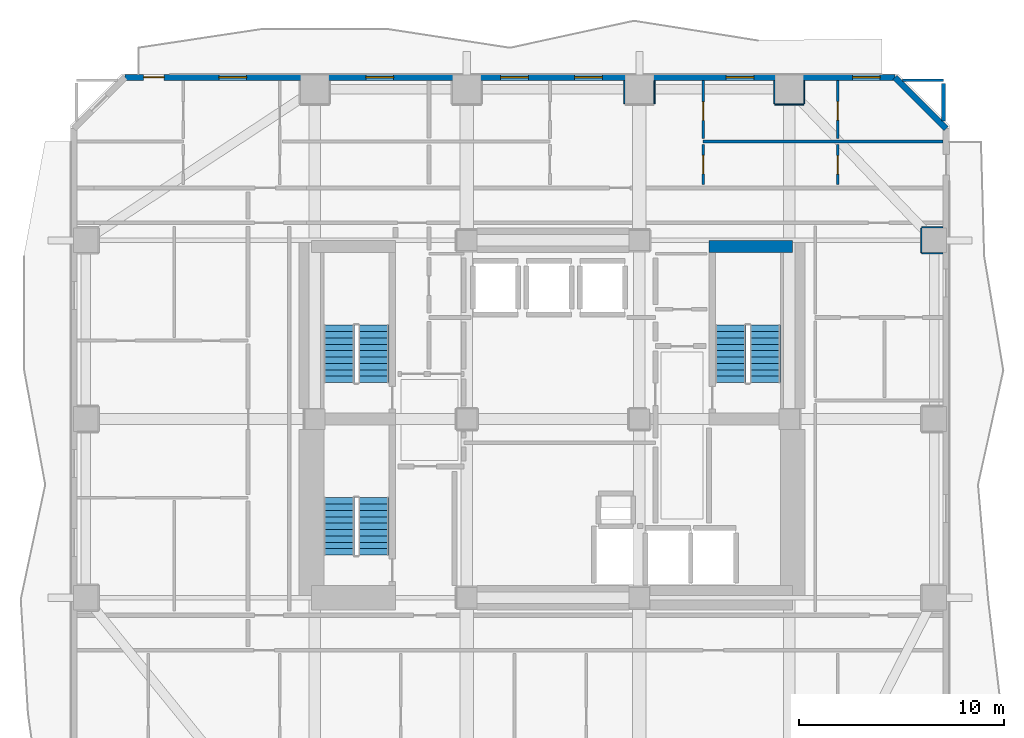
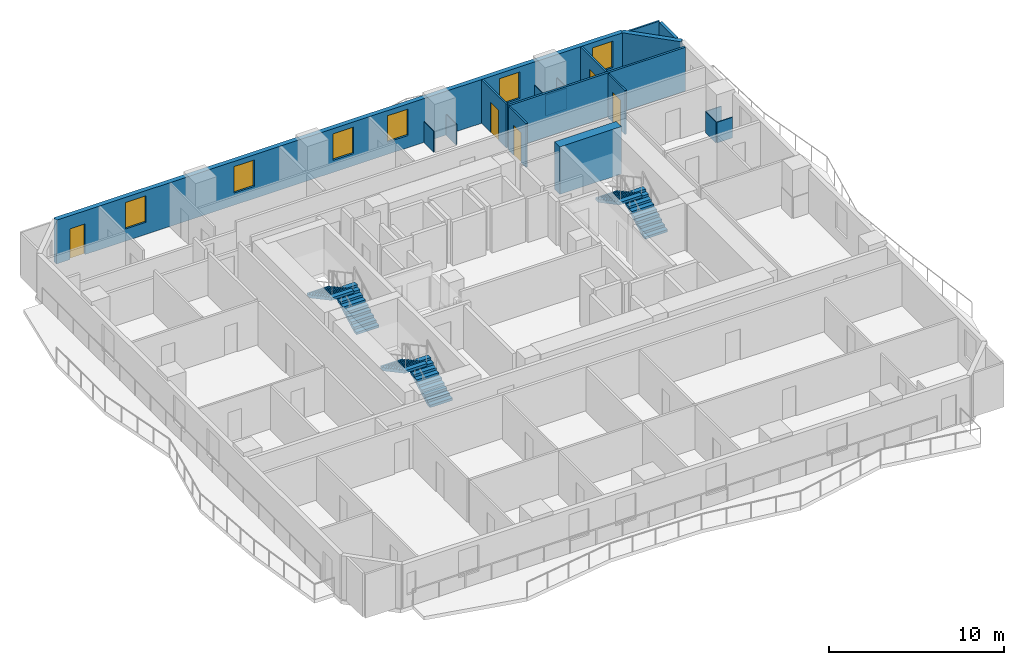
# One storey, part 7 of 11: 18 walls, 6 stair flights, 6 windows, 5 doors, 11 openings, 3 elements without a shape of their own.
"""IFC4 building model written with IfcOpenShell, lengths in metres."""

from ifc_helpers import new_model, si_unit, direction, frame, frame_2d, origin, place, context, subcontext, project, spatial, polyline, rectangle, outline, extrude, material, layer, layer_set, type_object, element, fill, aggregate, save


model = new_model("IFC4")

# Units and contexts
model_context = context("Model", 3, precision=1e-05, world=origin(), true_north=direction((0.0, 1.0)))
body_context = subcontext(model_context, "Body", "Model", "MODEL_VIEW")
ifc_project = project(units=[si_unit("LENGTHUNIT", "METRE"), si_unit("AREAUNIT", "SQUARE_METRE"), si_unit("VOLUMEUNIT", "CUBIC_METRE"), si_unit("PLANEANGLEUNIT", "RADIAN"), si_unit("MASSUNIT", "GRAM", prefix="KILO")], contexts=[model_context])

# Site, building, storey
site_placement = place(None, origin())
site = spatial("IfcSite", under=ifc_project, at=site_placement, CompositionType="ELEMENT")
building_placement = place(site_placement, origin())
building = spatial("IfcBuilding", under=site, at=building_placement, Name="Solanera Arch Residences", CompositionType="ELEMENT")
storey_placement = place(building_placement, frame((0.0, 0.0, 31.9599609375)))
storey = spatial("IfcBuildingStorey", under=building, at=storey_placement, Name="L08", CompositionType="ELEMENT", Elevation=31.9599609375)

# Walls
ifc_material_1 = material(Name="Fire-Rated Gypsum Stud Partition", Category="gypsum")
ifc_layer_1 = layer(ifc_material_1, 0.06005859375)
ifc_layer_set_1 = layer_set([ifc_layer_1], Name="Fire-Rated Gypsum Stud Partition")
wall_type_1 = type_object("IfcWallType", Name="Column Acoustic Furring Wall 60", PredefinedType="PARTITIONING", material=ifc_layer_set_1)
for number, where, z_axis, x_axis, name in (
    (1, (28.468017578125, 46.050048828125, 0.0), (0.0, 0.0, 1.0), (0.0, 1.0, 0.0), "L08 Column Furring 14W"),
    (2, (29.931884765625, 46.050048828125, 0.0), (0.0, 0.0, 1.0), (0.0, 1.0, 0.0), "L08 Column Furring 14E"),
):
    element("IfcWall", number, at=place(storey_placement, frame(where, z_axis=z_axis, x_axis=x_axis)), inside=storey, type_object=wall_type_1, Name=name, PredefinedType="PARTITIONING", context=body_context, shape_type="SweptSolid", body=[
        extrude(rectangle(XDim=1.119873046875, YDim=0.06005859375, at=frame_2d((0.56005859375, 0.0))), origin(), (0.0, 0.0, 1.0), 1.449951171875),
    ])
wall_1_placement = place(storey_placement, frame((35.800048828125, 46.01806640625, 0.0), z_axis=(0.0, 0.0, 1.0), x_axis=(1.0, 0.0, 0.0)))
element("IfcWall", 3, at=wall_1_placement, inside=storey, type_object=wall_type_1, Name="L08 Column Furring 16S", PredefinedType="PARTITIONING", context=body_context, shape_type="SweptSolid", body=[
    extrude(rectangle(XDim=1.39990234375, YDim=0.06005859375, at=frame_2d((0.699951171875, 0.0))), origin(), (0.0, 0.0, 1.0), 1.449951171875),
])
for number, where, z_axis, x_axis, name in (
    (4, (35.76806640625, 46.050048828125, 0.0), (0.0, 0.0, 1.0), (0.0, 1.0, 0.0), "L08 Column Furring 16W"),
    (5, (37.23193359375, 46.050048828125, 0.0), (0.0, 0.0, 1.0), (0.0, 1.0, 0.0), "L08 Column Furring 16E"),
):
    element("IfcWall", number, at=place(storey_placement, frame(where, z_axis=z_axis, x_axis=x_axis)), inside=storey, type_object=wall_type_1, Name=name, PredefinedType="PARTITIONING", context=body_context, shape_type="SweptSolid", body=[
        extrude(rectangle(XDim=1.119873046875, YDim=0.06005859375, at=frame_2d((0.56005859375, 0.0))), origin(), (0.0, 0.0, 1.0), 1.449951171875),
    ])
for number, where, z_axis, x_axis, name in (
    (6, (42.949951171875, 38.76806640625, 0.0), (0.0, 0.0, 1.0), (1.0, 0.0, 0.0), "L08 Column Furring 22S"),
    (7, (42.949951171875, 40.031982421875, 0.0), (0.0, 0.0, 1.0), (1.0, 0.0, 0.0), "L08 Column Furring 22N"),
):
    element("IfcWall", number, at=place(storey_placement, frame(where, z_axis=z_axis, x_axis=x_axis)), inside=storey, type_object=wall_type_1, Name=name, PredefinedType="PARTITIONING", context=body_context, shape_type="SweptSolid", body=[
        extrude(rectangle(XDim=1.02001953125, YDim=0.06005859375, at=frame_2d((0.510009765625, 0.0))), origin(), (0.0, 0.0, 1.0), 1.449951171875),
    ])
wall_2_placement = place(storey_placement, frame((42.91796875, 38.800048828125, 0.0), z_axis=(0.0, 0.0, 1.0), x_axis=(0.0, 1.0, 0.0)))
element("IfcWall", 8, at=wall_2_placement, inside=storey, type_object=wall_type_1, Name="L08 Column Furring 22W", PredefinedType="PARTITIONING", context=body_context, shape_type="SweptSolid", body=[
    extrude(rectangle(XDim=1.199951171875, YDim=0.06005859375, at=frame_2d((0.60009765625, 0.0))), origin(), (0.0, 0.0, 1.0), 1.449951171875),
])
ifc_material_2 = material(Name="Concrete C40/50 (f'c = 45 MPa)", Category="concrete")
ifc_layer_2 = layer(ifc_material_2, 0.60009765625)
ifc_layer_set_2 = layer_set([ifc_layer_2], Name="Concrete C40/50 (f'c = 45 MPa)")
wall_type_2 = type_object("IfcWallType", Name="Core Shear Wall CW-600", PredefinedType="SHEAR", material=ifc_layer_set_2)
wall_3_placement = place(storey_placement, frame((32.580078125, 39.10009765625, 0.0), z_axis=(0.0, 0.0, 1.0), x_axis=(1.0, 0.0, 0.0)))
element("IfcWall", 9, at=wall_3_placement, inside=storey, type_object=wall_type_2, Name="L08 North-East Core Shear Wall", PredefinedType="SHEAR", context=body_context, shape_type="SweptSolid", body=[
    extrude(rectangle(XDim=4.079833984375, YDim=0.60009765625, at=frame_2d((2.0400390625, 0.0))), origin(), (0.0, 0.0, 1.0), 3.320068359375),
])
ifc_material_3 = material(Name="Autoclaved Aerated Concrete Blockwork", Category="masonry")
ifc_layer_3 = layer(ifc_material_3, 0.179931640625)
ifc_layer_set_3 = layer_set([ifc_layer_3], Name="Autoclaved Aerated Concrete Blockwork")
wall_type_3 = type_object("IfcWallType", Name="Corridor Fire Partition 180", PredefinedType="PARTITIONING", material=ifc_layer_set_3)
wall_4_placement = place(storey_placement, frame((44.0, 45.198974609375, 0.0), z_axis=(0.0, 0.0, 1.0), x_axis=(0.0, 1.0, 0.0)))
element("IfcWall", 10, at=wall_4_placement, inside=storey, type_object=wall_type_3, Name="L08 Interior Partition V10 2", PredefinedType="PARTITIONING", context=body_context, shape_type="SweptSolid", body=[
    extrude(rectangle(XDim=1.843017578125, YDim=0.179931640625, at=frame_2d((0.92138671875, 0.0))), origin(), (0.0, 0.0, 1.0), 3.06005859375),
])

# Wall, openings, door, windows
ifc_material_4 = material(Name="Precast Concrete C35/45", Category="concrete")
ifc_layer_4 = layer(ifc_material_4, 0.300048828125)
ifc_layer_set_4 = layer_set([ifc_layer_4], Name="Precast Concrete C35/45")
wall_type_4 = type_object("IfcWallType", Name="Exterior Wall Precast Masonry-Frame 300", PredefinedType="STANDARD", material=ifc_layer_set_4)
wall_5_placement = place(storey_placement, frame((4.1650390625, 47.3349609375, 0.0), z_axis=(0.0, 0.0, 1.0), x_axis=(1.0, 0.0, 0.0)))
wall_5 = element("IfcWall", 11, at=wall_5_placement, inside=storey, type_object=wall_type_4, Name="L08 Tower Exterior Precast Masonry-Frame Wall N", PredefinedType="STANDARD", context=body_context, shape_type="SweptSolid", body=[
    extrude(rectangle(XDim=37.469970703125, YDim=0.300048828125, at=frame_2d((18.73486328125, 0.0))), origin(), (0.0, 0.0, 1.0), 3.06005859375),
])
opening_1_placement = place(wall_5_placement, frame((0.90087890625, 0.0, 0.0)))
opening_1 = element("IfcOpeningElement", 12, at=opening_1_placement, cuts=wall_5, Name="Opening DB-01", PredefinedType="OPENING", context=body_context, shape_type="SweptSolid", body=[
    extrude(rectangle(XDim=1.0, YDim=2.14990234375, at=frame_2d((0.5, 1.074951171875))), frame((0.0, 0.159912109375, 0.0), z_axis=(0.0, -1.0, 0.0), x_axis=(1.0, 0.0, 0.0)), (0.0, 0.0, 1.0), 0.32),
])
opening_2_placement = place(wall_5_placement, frame((4.568115234375, 0.0, 0.85009765625)))
opening_2 = element("IfcOpeningElement", 13, at=opening_2_placement, cuts=wall_5, Name="Opening W-10", PredefinedType="OPENING", context=body_context, shape_type="SweptSolid", body=[
    extrude(rectangle(XDim=1.35009765625, YDim=1.85009765625, at=frame_2d((0.675048828125, 0.925048828125))), frame((0.0, 0.159912109375, 0.0), z_axis=(0.0, -1.0, 0.0), x_axis=(1.0, 0.0, 0.0)), (0.0, 0.0, 1.0), 0.32),
])
opening_3_placement = place(wall_5_placement, frame((11.719970703125, 0.0, 0.85009765625)))
opening_3 = element("IfcOpeningElement", 14, at=opening_3_placement, cuts=wall_5, Name="Opening W-10", PredefinedType="OPENING", context=body_context, shape_type="SweptSolid", body=[
    extrude(rectangle(XDim=1.35009765625, YDim=1.85009765625, at=frame_2d((0.675048828125, 0.925048828125))), frame((0.0, 0.159912109375, 0.0), z_axis=(0.0, -1.0, 0.0), x_axis=(1.0, 0.0, 0.0)), (0.0, 0.0, 1.0), 0.32),
])
opening_4_placement = place(wall_5_placement, frame((21.881103515625, 0.0, 0.85009765625)))
opening_4 = element("IfcOpeningElement", 15, at=opening_4_placement, cuts=wall_5, Name="Opening W-10", PredefinedType="OPENING", context=body_context, shape_type="SweptSolid", body=[
    extrude(rectangle(XDim=1.35009765625, YDim=1.85009765625, at=frame_2d((0.675048828125, 0.925048828125))), frame((0.0, 0.159912109375, 0.0), z_axis=(0.0, -1.0, 0.0), x_axis=(1.0, 0.0, 0.0)), (0.0, 0.0, 1.0), 0.32),
])
opening_5_placement = place(wall_5_placement, frame((18.281005859375, 0.0, 0.85009765625)))
opening_5 = element("IfcOpeningElement", 16, at=opening_5_placement, cuts=wall_5, Name="Opening W-10", PredefinedType="OPENING", context=body_context, shape_type="SweptSolid", body=[
    extrude(rectangle(XDim=1.35009765625, YDim=1.85009765625, at=frame_2d((0.675048828125, 0.925048828125))), frame((0.0, 0.159912109375, 0.0), z_axis=(0.0, -1.0, 0.0), x_axis=(1.0, 0.0, 0.0)), (0.0, 0.0, 1.0), 0.32),
])
opening_6_placement = place(wall_5_placement, frame((29.262939453125, 0.0, 0.85009765625)))
opening_6 = element("IfcOpeningElement", 17, at=opening_6_placement, cuts=wall_5, Name="Opening W-10", PredefinedType="OPENING", context=body_context, shape_type="SweptSolid", body=[
    extrude(rectangle(XDim=1.35009765625, YDim=1.85009765625, at=frame_2d((0.675048828125, 0.925048828125))), frame((0.0, 0.159912109375, 0.0), z_axis=(0.0, -1.0, 0.0), x_axis=(1.0, 0.0, 0.0)), (0.0, 0.0, 1.0), 0.32),
])
opening_7_placement = place(wall_5_placement, frame((35.409912109375, 0.0, 0.85009765625)))
opening_7 = element("IfcOpeningElement", 18, at=opening_7_placement, cuts=wall_5, Name="Opening W-10", PredefinedType="OPENING", context=body_context, shape_type="SweptSolid", body=[
    extrude(rectangle(XDim=1.35009765625, YDim=1.85009765625, at=frame_2d((0.675048828125, 0.925048828125))), frame((0.0, 0.159912109375, 0.0), z_axis=(0.0, -1.0, 0.0), x_axis=(1.0, 0.0, 0.0)), (0.0, 0.0, 1.0), 0.32),
])
ifc_material_5 = material(Name="Anodised Aluminium Alloy 6063-T6", Category="aluminium")
door_type_1 = type_object("IfcDoorType", Name="Glazed Balcony Swing Door DB-01", OperationType="NOTDEFINED", PredefinedType="DOOR", material=ifc_material_5)
door_1_placement = place(opening_1_placement, origin())
door_1 = element("IfcDoor", 19, at=door_1_placement, inside=storey, type_object=door_type_1, Name="DR-L08-OUT-02", OperationType="SINGLE_SWING_LEFT", OverallHeight=2.14990234375, OverallWidth=1.0, PredefinedType="DOOR", context=body_context, shape_type="SweptSolid", body=[
    extrude(rectangle(XDim=1.0, YDim=2.14990234375, at=frame_2d((0.5, 1.074951171875))), frame((0.0, 0.02490234375, 0.0), z_axis=(0.0, -1.0, 0.0), x_axis=(1.0, 0.0, 0.0)), (0.0, 0.0, 1.0), 0.050048828125),
])
fill(opening_1, door_1)
ifc_material_6 = material(Name="Double Glazed Low-E Laminated Glass", Category="glass")
window_type = type_object("IfcWindowType", Name="Punched Window W-10", PartitioningType="DOUBLE_PANEL_VERTICAL", PredefinedType="WINDOW", material=ifc_material_6)
window_1_placement = place(opening_2_placement, origin())
window_1 = element("IfcWindow", 20, at=window_1_placement, inside=storey, type_object=window_type, Name="L08 0803-LIV Punched Window", OverallHeight=1.85009765625, OverallWidth=1.35009765625, PartitioningType="SINGLE_PANEL", PredefinedType="WINDOW", context=body_context, shape_type="SweptSolid", body=[
    extrude(rectangle(XDim=1.35009765625, YDim=1.85009765625, at=frame_2d((0.675048828125, 0.925048828125))), frame((0.0, 0.030029296875, 0.0), z_axis=(0.0, -1.0, 0.0), x_axis=(1.0, 0.0, 0.0)), (0.0, 0.0, 1.0), 0.06005859375),
])
fill(opening_2, window_1)
window_2_placement = place(opening_3_placement, origin())
window_2 = element("IfcWindow", 21, at=window_2_placement, inside=storey, type_object=window_type, Name="L08 0803-BR2 Punched Window", OverallHeight=1.85009765625, OverallWidth=1.35009765625, PartitioningType="SINGLE_PANEL", PredefinedType="WINDOW", context=body_context, shape_type="SweptSolid", body=[
    extrude(rectangle(XDim=1.35009765625, YDim=1.85009765625, at=frame_2d((0.675048828125, 0.925048828125))), frame((0.0, 0.030029296875, 0.0), z_axis=(0.0, -1.0, 0.0), x_axis=(1.0, 0.0, 0.0)), (0.0, 0.0, 1.0), 0.06005859375),
])
fill(opening_3, window_2)
window_3_placement = place(opening_4_placement, origin())
window_3 = element("IfcWindow", 22, at=window_3_placement, inside=storey, type_object=window_type, Name="L08 0804-LIV Punched Window", OverallHeight=1.85009765625, OverallWidth=1.35009765625, PartitioningType="SINGLE_PANEL", PredefinedType="WINDOW", context=body_context, shape_type="SweptSolid", body=[
    extrude(rectangle(XDim=1.35009765625, YDim=1.85009765625, at=frame_2d((0.675048828125, 0.925048828125))), frame((0.0, 0.030029296875, 0.0), z_axis=(0.0, -1.0, 0.0), x_axis=(1.0, 0.0, 0.0)), (0.0, 0.0, 1.0), 0.06005859375),
])
fill(opening_4, window_3)
window_4_placement = place(opening_5_placement, origin())
window_4 = element("IfcWindow", 23, at=window_4_placement, inside=storey, type_object=window_type, Name="L08 0804-BR1 Punched Window", OverallHeight=1.85009765625, OverallWidth=1.35009765625, PartitioningType="SINGLE_PANEL", PredefinedType="WINDOW", context=body_context, shape_type="SweptSolid", body=[
    extrude(rectangle(XDim=1.35009765625, YDim=1.85009765625, at=frame_2d((0.675048828125, 0.925048828125))), frame((0.0, 0.030029296875, 0.0), z_axis=(0.0, -1.0, 0.0), x_axis=(1.0, 0.0, 0.0)), (0.0, 0.0, 1.0), 0.06005859375),
])
fill(opening_5, window_4)
window_5_placement = place(opening_6_placement, origin())
window_5 = element("IfcWindow", 24, at=window_5_placement, inside=storey, type_object=window_type, Name="L08 0804-BR2 Punched Window", OverallHeight=1.85009765625, OverallWidth=1.35009765625, PartitioningType="SINGLE_PANEL", PredefinedType="WINDOW", context=body_context, shape_type="SweptSolid", body=[
    extrude(rectangle(XDim=1.35009765625, YDim=1.85009765625, at=frame_2d((0.675048828125, 0.925048828125))), frame((0.0, 0.030029296875, 0.0), z_axis=(0.0, -1.0, 0.0), x_axis=(1.0, 0.0, 0.0)), (0.0, 0.0, 1.0), 0.06005859375),
])
fill(opening_6, window_5)
window_6_placement = place(opening_7_placement, origin())
window_6 = element("IfcWindow", 25, at=window_6_placement, inside=storey, type_object=window_type, Name="L08 0804-BR3 Punched Window", OverallHeight=1.85009765625, OverallWidth=1.35009765625, PartitioningType="SINGLE_PANEL", PredefinedType="WINDOW", context=body_context, shape_type="SweptSolid", body=[
    extrude(rectangle(XDim=1.35009765625, YDim=1.85009765625, at=frame_2d((0.675048828125, 0.925048828125))), frame((0.0, 0.030029296875, 0.0), z_axis=(0.0, -1.0, 0.0), x_axis=(1.0, 0.0, 0.0)), (0.0, 0.0, 1.0), 0.06005859375),
])
fill(opening_7, window_6)

# Walls
wall_6_placement = place(storey_placement, frame((41.635009765625, 47.3349609375, 0.0), z_axis=(0.0, 0.0, 1.0), x_axis=(0.707106781187, -0.707106781187, 0.0)))
element("IfcWall", 26, at=wall_6_placement, inside=storey, type_object=wall_type_4, Name="L08 Tower Exterior Precast Masonry-Frame Wall CH3", PredefinedType="STANDARD", context=body_context, shape_type="SweptSolid", body=[
    extrude(rectangle(XDim=3.53564453125, YDim=0.300048828125, at=frame_2d((1.767822265625, 0.0))), origin(), (0.0, 0.0, 1.0), 3.06005859375),
])
ifc_material_7 = material(Name="Fire-Rated Gypsum Stud Partition", Category="gypsum")
ifc_layer_5 = layer(ifc_material_7, 0.1201171875)
ifc_layer_set_5 = layer_set([ifc_layer_5], Name="Fire-Rated Gypsum Stud Partition")
wall_type_5 = type_object("IfcWallType", Name="Unit Drywall Partition 120", PredefinedType="PARTITIONING", material=ifc_layer_set_5)
wall_7_placement = place(storey_placement, frame((41.9990234375, 47.199951171875, 0.0), z_axis=(0.0, 0.0, 1.0), x_axis=(1.0, 0.0, 0.0)))
element("IfcWall", 27, at=wall_7_placement, inside=storey, type_object=wall_type_5, Name="L08 Interior Partition H24 2", PredefinedType="PARTITIONING", context=body_context, shape_type="SweptSolid", body=[
    extrude(rectangle(XDim=2.0009765625, YDim=0.1201171875, at=frame_2d((1.00048828125, 0.0))), origin(), (0.0, 0.0, 1.0), 3.06005859375),
])

# Wall, opening, door
wall_8_placement = place(storey_placement, frame((32.305908203125, 42.10791015625, 0.0), z_axis=(0.0, 0.0, 1.0), x_axis=(0.0, 1.0, 0.0)))
wall_8 = element("IfcWall", 28, at=wall_8_placement, inside=storey, type_object=wall_type_5, Name="L08 Interior Partition V25 1", PredefinedType="PARTITIONING", context=body_context, shape_type="SweptSolid", body=[
    extrude(rectangle(XDim=1.962158203125, YDim=0.1201171875, at=frame_2d((0.98095703125, 0.0))), origin(), (0.0, 0.0, 1.0), 3.06005859375),
])
opening_8_placement = place(wall_8_placement, frame((0.533935546875, 0.0, 0.0)))
opening_8 = element("IfcOpeningElement", 29, at=opening_8_placement, cuts=wall_8, Name="Opening DI-02", PredefinedType="OPENING", context=body_context, shape_type="SweptSolid", body=[
    extrude(rectangle(XDim=0.89990234375, YDim=2.10009765625, at=frame_2d((0.449951171875, 1.050048828125))), frame((0.0, 0.070068359375, 0.0), z_axis=(0.0, -1.0, 0.0), x_axis=(1.0, 0.0, 0.0)), (0.0, 0.0, 1.0), 0.1401),
])
ifc_material_8 = material(Name="Fire-Rated Architectural Hardwood", Category="wood")
door_type_2 = type_object("IfcDoorType", Name="Suite Room Swing Door DI-02", OperationType="NOTDEFINED", PredefinedType="DOOR", material=ifc_material_8)
door_2_placement = place(opening_8_placement, origin())
door_2 = element("IfcDoor", 30, at=door_2_placement, inside=storey, type_object=door_type_2, Name="DR-L08-IN-036", OperationType="SINGLE_SWING_LEFT", OverallHeight=2.10009765625, OverallWidth=0.89990234375, PredefinedType="DOOR", context=body_context, shape_type="SweptSolid", body=[
    extrude(rectangle(XDim=0.89990234375, YDim=2.10009765625, at=frame_2d((0.449951171875, 1.050048828125))), frame((0.0, 0.02490234375, 0.0), z_axis=(0.0, -1.0, 0.0), x_axis=(1.0, 0.0, 0.0)), (0.0, 0.0, 1.0), 0.050048828125),
])
fill(opening_8, door_2)

wall_9_placement = place(storey_placement, frame((32.305908203125, 44.345947265625, 0.0), z_axis=(0.0, 0.0, 1.0), x_axis=(0.0, 1.0, 0.0)))
wall_9 = element("IfcWall", 31, at=wall_9_placement, inside=storey, type_object=wall_type_5, Name="L08 Interior Partition V25 2", PredefinedType="PARTITIONING", context=body_context, shape_type="SweptSolid", body=[
    extrude(rectangle(XDim=2.8271484375, YDim=0.1201171875, at=frame_2d((1.41357421875, 0.0))), origin(), (0.0, 0.0, 1.0), 3.06005859375),
])
opening_9_placement = place(wall_9_placement, frame((0.89501953125, 0.0, 0.0)))
opening_9 = element("IfcOpeningElement", 32, at=opening_9_placement, cuts=wall_9, Name="Opening DI-03", PredefinedType="OPENING", context=body_context, shape_type="SweptSolid", body=[
    extrude(rectangle(XDim=0.89990234375, YDim=2.10009765625, at=frame_2d((0.449951171875, 1.050048828125))), frame((0.0, 0.070068359375, 0.0), z_axis=(0.0, -1.0, 0.0), x_axis=(1.0, 0.0, 0.0)), (0.0, 0.0, 1.0), 0.1401),
])
ifc_material_9 = material(Name="Fire-Rated Architectural Hardwood", Category="wood")
door_type_3 = type_object("IfcDoorType", Name="Bedroom Swing Door DI-03", OperationType="NOTDEFINED", PredefinedType="DOOR", material=ifc_material_9)
door_3_placement = place(opening_9_placement, origin())
door_3 = element("IfcDoor", 33, at=door_3_placement, inside=storey, type_object=door_type_3, Name="DR-L08-IN-038", OperationType="SINGLE_SWING_LEFT", OverallHeight=2.10009765625, OverallWidth=0.89990234375, PredefinedType="DOOR", context=body_context, shape_type="SweptSolid", body=[
    extrude(rectangle(XDim=0.89990234375, YDim=2.10009765625, at=frame_2d((0.449951171875, 1.050048828125))), frame((0.0, 0.02490234375, 0.0), z_axis=(0.0, -1.0, 0.0), x_axis=(1.0, 0.0, 0.0)), (0.0, 0.0, 1.0), 0.050048828125),
])
fill(opening_9, door_3)

wall_10_placement = place(storey_placement, frame((38.85498046875, 42.10791015625, 0.0), z_axis=(0.0, 0.0, 1.0), x_axis=(0.0, 1.0, 0.0)))
wall_10 = element("IfcWall", 34, at=wall_10_placement, inside=storey, type_object=wall_type_5, Name="L08 Interior Partition V28 1", PredefinedType="PARTITIONING", context=body_context, shape_type="SweptSolid", body=[
    extrude(rectangle(XDim=1.962158203125, YDim=0.1201171875, at=frame_2d((0.98095703125, 0.0))), origin(), (0.0, 0.0, 1.0), 3.06005859375),
])
opening_10_placement = place(wall_10_placement, frame((0.52099609375, 0.0, 0.0)))
opening_10 = element("IfcOpeningElement", 35, at=opening_10_placement, cuts=wall_10, Name="Opening DI-02", PredefinedType="OPENING", context=body_context, shape_type="SweptSolid", body=[
    extrude(rectangle(XDim=0.89990234375, YDim=2.10009765625, at=frame_2d((0.449951171875, 1.050048828125))), frame((0.0, 0.070068359375, 0.0), z_axis=(0.0, -1.0, 0.0), x_axis=(1.0, 0.0, 0.0)), (0.0, 0.0, 1.0), 0.1401),
])
door_4_placement = place(opening_10_placement, origin())
door_4 = element("IfcDoor", 36, at=door_4_placement, inside=storey, type_object=door_type_2, Name="DR-L08-IN-037", OperationType="SINGLE_SWING_RIGHT", OverallHeight=2.10009765625, OverallWidth=0.89990234375, PredefinedType="DOOR", context=body_context, shape_type="SweptSolid", body=[
    extrude(rectangle(XDim=0.89990234375, YDim=2.10009765625, at=frame_2d((0.449951171875, 1.050048828125))), frame((0.0, 0.02490234375, 0.0), z_axis=(0.0, -1.0, 0.0), x_axis=(1.0, 0.0, 0.0)), (0.0, 0.0, 1.0), 0.050048828125),
])
fill(opening_10, door_4)

wall_11_placement = place(storey_placement, frame((38.85498046875, 44.345947265625, 0.0), z_axis=(0.0, 0.0, 1.0), x_axis=(0.0, 1.0, 0.0)))
wall_11 = element("IfcWall", 37, at=wall_11_placement, inside=storey, type_object=wall_type_5, Name="L08 Interior Partition V28 2", PredefinedType="PARTITIONING", context=body_context, shape_type="SweptSolid", body=[
    extrude(rectangle(XDim=2.8271484375, YDim=0.1201171875, at=frame_2d((1.41357421875, 0.0))), origin(), (0.0, 0.0, 1.0), 3.06005859375),
])
opening_11_placement = place(wall_11_placement, frame((0.907958984375, 0.0, 0.0)))
opening_11 = element("IfcOpeningElement", 38, at=opening_11_placement, cuts=wall_11, Name="Opening DI-03", PredefinedType="OPENING", context=body_context, shape_type="SweptSolid", body=[
    extrude(rectangle(XDim=0.89990234375, YDim=2.10009765625, at=frame_2d((0.449951171875, 1.050048828125))), frame((0.0, 0.070068359375, 0.0), z_axis=(0.0, -1.0, 0.0), x_axis=(1.0, 0.0, 0.0)), (0.0, 0.0, 1.0), 0.1401),
])
door_5_placement = place(opening_11_placement, origin())
door_5 = element("IfcDoor", 39, at=door_5_placement, inside=storey, type_object=door_type_3, Name="DR-L08-IN-039", OperationType="SINGLE_SWING_RIGHT", OverallHeight=2.10009765625, OverallWidth=0.89990234375, PredefinedType="DOOR", context=body_context, shape_type="SweptSolid", body=[
    extrude(rectangle(XDim=0.89990234375, YDim=2.10009765625, at=frame_2d((0.449951171875, 1.050048828125))), frame((0.0, 0.02490234375, 0.0), z_axis=(0.0, -1.0, 0.0), x_axis=(1.0, 0.0, 0.0)), (0.0, 0.0, 1.0), 0.050048828125),
])
fill(opening_11, door_5)

# Wall
ifc_material_10 = material(Name="Autoclaved Aerated Concrete Blockwork", Category="masonry")
ifc_layer_6 = layer(ifc_material_10, 0.139892578125)
ifc_layer_set_6 = layer_set([ifc_layer_6], Name="Autoclaved Aerated Concrete Blockwork")
wall_type_6 = type_object("IfcWallType", Name="Wet-Room Partition 140", PredefinedType="PARTITIONING", material=ifc_layer_set_6)
wall_12_placement = place(storey_placement, frame((32.305908203125, 44.2080078125, 0.0), z_axis=(0.0, 0.0, 1.0), x_axis=(1.0, 0.0, 0.0)))
element("IfcWall", 40, at=wall_12_placement, inside=storey, type_object=wall_type_6, Name="L08 Interior Partition H21", PredefinedType="PARTITIONING", context=body_context, shape_type="SweptSolid", body=[
    extrude(rectangle(XDim=11.6669921875, YDim=0.139892578125, at=frame_2d((5.83349609375, 0.0))), origin(), (0.0, 0.0, 1.0), 3.06005859375),
])

# Stair, stair flights
ifc_material_11 = material(Name="Concrete C40/50 (f'c = 45 MPa)", Category="concrete")
stair_type = type_object("IfcStairType", Name="Tower Dogleg Exit Stair 1480", PredefinedType="HALF_TURN_STAIR", material=ifc_material_11)
stair_1_placement = place(storey_placement, origin())
stair_1 = element("IfcStair", 41, at=stair_1_placement, inside=storey, type_object=stair_type, Name="L08 Tower Core Exit Stair 1", PredefinedType="HALF_TURN_STAIR")
ifc_material_12 = material(Name="Concrete C40/50 (f'c = 45 MPa)", Category="concrete")
stair_flight_type = type_object("IfcStairFlightType", Name="Tower Precast Stair Flight 1480", PredefinedType="STRAIGHT", material=ifc_material_12)
stair_flight_1_placement = place(storey_placement, frame((16.260009765625, 32.47998046875, 0.0), z_axis=(0.0, 0.0, 1.0), x_axis=(0.0, 1.0, 0.0)))
stair_flight_1 = element("IfcStairFlight", 42, at=stair_flight_1_placement, type_object=stair_flight_type, Name="ST-T1 flight 1", NumberOfRisers=10, NumberOfTreads=9, PredefinedType="STRAIGHT", RiserHeight=0.166, TreadLength=0.31, context=body_context, shape_type="SweptSolid", body=[
    extrude(outline(polyline([(0.0, 0.0), (0.0, 0.166015625), (0.31005859375, 0.166015625), (0.31005859375, 0.33203125), (0.6201171875, 0.33203125), (0.6201171875, 0.498046875), (0.929931640625, 0.498046875), (0.929931640625, 0.6640625), (1.239990234375, 0.6640625), (1.239990234375, 0.830078125), (1.550048828125, 0.830078125), (1.550048828125, 0.99609375), (1.860107421875, 0.99609375), (1.860107421875, 1.162109375), (2.169921875, 1.162109375), (2.169921875, 1.327880859375), (2.47998046875, 1.327880859375), (2.47998046875, 1.493896484375), (2.7900390625, 1.493896484375), (2.7900390625, 1.659912109375), (2.7900390625, 1.323974609375), (0.317626953125, 0.0), (0.0, 0.0)])), frame((0.0, 0.739990234375, 0.0), z_axis=(0.0, -1.0, 0.0), x_axis=(1.0, 0.0, 0.0)), (0.0, 0.0, 1.0), 1.47998046875),
])
stair_flight_2_placement = place(storey_placement, frame((14.580078125, 35.27001953125, 1.66015625), z_axis=(0.0, 0.0, 1.0), x_axis=(0.0, -1.0, 0.0)))
stair_flight_2 = element("IfcStairFlight", 43, at=stair_flight_2_placement, type_object=stair_flight_type, Name="ST-T1 flight 2", NumberOfRisers=10, NumberOfTreads=9, PredefinedType="STRAIGHT", RiserHeight=0.166, TreadLength=0.31, context=body_context, shape_type="SweptSolid", body=[
    extrude(outline(polyline([(0.0, 0.0), (0.0, 0.166015625), (0.31005859375, 0.166015625), (0.31005859375, 0.33203125), (0.6201171875, 0.33203125), (0.6201171875, 0.498046875), (0.929931640625, 0.498046875), (0.929931640625, 0.6640625), (1.239990234375, 0.6640625), (1.239990234375, 0.830078125), (1.550048828125, 0.830078125), (1.550048828125, 0.99609375), (1.860107421875, 0.99609375), (1.860107421875, 1.162109375), (2.169921875, 1.162109375), (2.169921875, 1.327880859375), (2.47998046875, 1.327880859375), (2.47998046875, 1.493896484375), (2.7900390625, 1.493896484375), (2.7900390625, 1.659912109375), (2.7900390625, 1.323974609375), (0.317626953125, 0.0), (0.0, 0.0)])), frame((0.0, 0.739990234375, 0.0), z_axis=(0.0, -1.0, 0.0), x_axis=(1.0, 0.0, 0.0)), (0.0, 0.0, 1.0), 1.47998046875),
])
aggregate(stair_1, [stair_flight_1, stair_flight_2])

stair_2_placement = place(storey_placement, origin())
stair_2 = element("IfcStair", 44, at=stair_2_placement, inside=storey, type_object=stair_type, Name="L08 Tower Core Exit Stair 2", PredefinedType="HALF_TURN_STAIR")
stair_flight_3_placement = place(storey_placement, frame((35.320068359375, 32.47998046875, 0.0), z_axis=(0.0, 0.0, 1.0), x_axis=(0.0, 1.0, 0.0)))
stair_flight_3 = element("IfcStairFlight", 45, at=stair_flight_3_placement, type_object=stair_flight_type, Name="ST-T2 flight 1", NumberOfRisers=10, NumberOfTreads=9, PredefinedType="STRAIGHT", RiserHeight=0.166, TreadLength=0.31, context=body_context, shape_type="SweptSolid", body=[
    extrude(outline(polyline([(0.0, 0.0), (0.0, 0.166015625), (0.31005859375, 0.166015625), (0.31005859375, 0.33203125), (0.6201171875, 0.33203125), (0.6201171875, 0.498046875), (0.929931640625, 0.498046875), (0.929931640625, 0.6640625), (1.239990234375, 0.6640625), (1.239990234375, 0.830078125), (1.550048828125, 0.830078125), (1.550048828125, 0.99609375), (1.860107421875, 0.99609375), (1.860107421875, 1.162109375), (2.169921875, 1.162109375), (2.169921875, 1.327880859375), (2.47998046875, 1.327880859375), (2.47998046875, 1.493896484375), (2.7900390625, 1.493896484375), (2.7900390625, 1.659912109375), (2.7900390625, 1.323974609375), (0.317626953125, 0.0), (0.0, 0.0)])), frame((0.0, 0.739990234375, 0.0), z_axis=(0.0, -1.0, 0.0), x_axis=(1.0, 0.0, 0.0)), (0.0, 0.0, 1.0), 1.47998046875),
])
stair_flight_4_placement = place(storey_placement, frame((33.639892578125, 35.27001953125, 1.66015625), z_axis=(0.0, 0.0, 1.0), x_axis=(0.0, -1.0, 0.0)))
stair_flight_4 = element("IfcStairFlight", 46, at=stair_flight_4_placement, type_object=stair_flight_type, Name="ST-T2 flight 2", NumberOfRisers=10, NumberOfTreads=9, PredefinedType="STRAIGHT", RiserHeight=0.166, TreadLength=0.31, context=body_context, shape_type="SweptSolid", body=[
    extrude(outline(polyline([(0.0, 0.0), (0.0, 0.166015625), (0.31005859375, 0.166015625), (0.31005859375, 0.33203125), (0.6201171875, 0.33203125), (0.6201171875, 0.498046875), (0.929931640625, 0.498046875), (0.929931640625, 0.6640625), (1.239990234375, 0.6640625), (1.239990234375, 0.830078125), (1.550048828125, 0.830078125), (1.550048828125, 0.99609375), (1.860107421875, 0.99609375), (1.860107421875, 1.162109375), (2.169921875, 1.162109375), (2.169921875, 1.327880859375), (2.47998046875, 1.327880859375), (2.47998046875, 1.493896484375), (2.7900390625, 1.493896484375), (2.7900390625, 1.659912109375), (2.7900390625, 1.323974609375), (0.317626953125, 0.0), (0.0, 0.0)])), frame((0.0, 0.739990234375, 0.0), z_axis=(0.0, -1.0, 0.0), x_axis=(1.0, 0.0, 0.0)), (0.0, 0.0, 1.0), 1.47998046875),
])
aggregate(stair_2, [stair_flight_3, stair_flight_4])

stair_3_placement = place(storey_placement, origin())
stair_3 = element("IfcStair", 47, at=stair_3_placement, inside=storey, type_object=stair_type, Name="L08 Tower Core Exit Stair 3", PredefinedType="HALF_TURN_STAIR")
stair_flight_5_placement = place(storey_placement, frame((16.260009765625, 24.080078125, 0.0), z_axis=(0.0, 0.0, 1.0), x_axis=(0.0, 1.0, 0.0)))
stair_flight_5 = element("IfcStairFlight", 48, at=stair_flight_5_placement, type_object=stair_flight_type, Name="ST-T3 flight 1", NumberOfRisers=10, NumberOfTreads=9, PredefinedType="STRAIGHT", RiserHeight=0.166, TreadLength=0.31, context=body_context, shape_type="SweptSolid", body=[
    extrude(outline(polyline([(0.0, 0.0), (0.0, 0.166015625), (0.31005859375, 0.166015625), (0.31005859375, 0.33203125), (0.6201171875, 0.33203125), (0.6201171875, 0.498046875), (0.929931640625, 0.498046875), (0.929931640625, 0.6640625), (1.239990234375, 0.6640625), (1.239990234375, 0.830078125), (1.550048828125, 0.830078125), (1.550048828125, 0.99609375), (1.860107421875, 0.99609375), (1.860107421875, 1.162109375), (2.169921875, 1.162109375), (2.169921875, 1.327880859375), (2.47998046875, 1.327880859375), (2.47998046875, 1.493896484375), (2.7900390625, 1.493896484375), (2.7900390625, 1.659912109375), (2.7900390625, 1.323974609375), (0.317626953125, 0.0), (0.0, 0.0)])), frame((0.0, 0.739990234375, 0.0), z_axis=(0.0, -1.0, 0.0), x_axis=(1.0, 0.0, 0.0)), (0.0, 0.0, 1.0), 1.47998046875),
])
stair_flight_6_placement = place(storey_placement, frame((14.580078125, 26.8701171875, 1.66015625), z_axis=(0.0, 0.0, 1.0), x_axis=(0.0, -1.0, 0.0)))
stair_flight_6 = element("IfcStairFlight", 49, at=stair_flight_6_placement, type_object=stair_flight_type, Name="ST-T3 flight 2", NumberOfRisers=10, NumberOfTreads=9, PredefinedType="STRAIGHT", RiserHeight=0.166, TreadLength=0.31, context=body_context, shape_type="SweptSolid", body=[
    extrude(outline(polyline([(0.0, 0.0), (0.0, 0.166015625), (0.31005859375, 0.166015625), (0.31005859375, 0.33203125), (0.6201171875, 0.33203125), (0.6201171875, 0.498046875), (0.929931640625, 0.498046875), (0.929931640625, 0.6640625), (1.239990234375, 0.6640625), (1.239990234375, 0.830078125), (1.550048828125, 0.830078125), (1.550048828125, 0.99609375), (1.860107421875, 0.99609375), (1.860107421875, 1.162109375), (2.169921875, 1.162109375), (2.169921875, 1.327880859375), (2.47998046875, 1.327880859375), (2.47998046875, 1.493896484375), (2.7900390625, 1.493896484375), (2.7900390625, 1.659912109375), (2.7900390625, 1.323974609375), (0.317626953125, 0.0), (0.0, 0.0)])), frame((0.0, 0.739990234375, 0.0), z_axis=(0.0, -1.0, 0.0), x_axis=(1.0, 0.0, 0.0)), (0.0, 0.0, 1.0), 1.47998046875),
])
aggregate(stair_3, [stair_flight_5, stair_flight_6])

save(model, "model.ifc")
